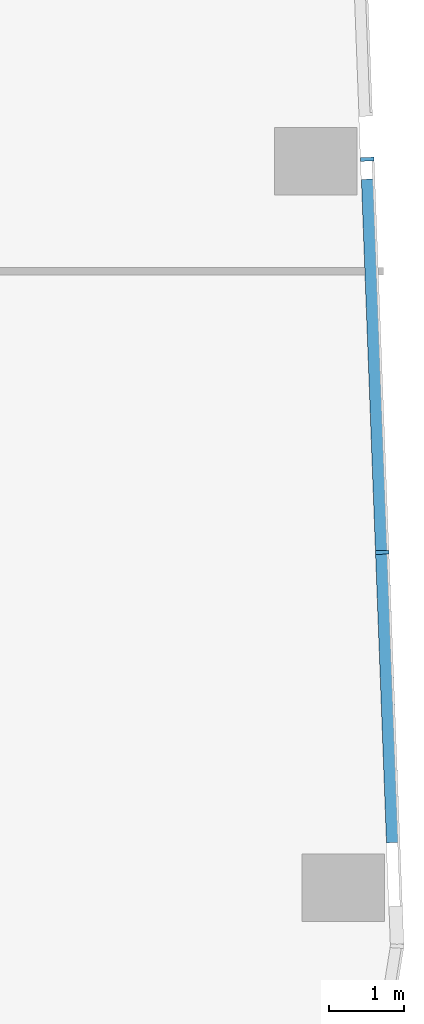
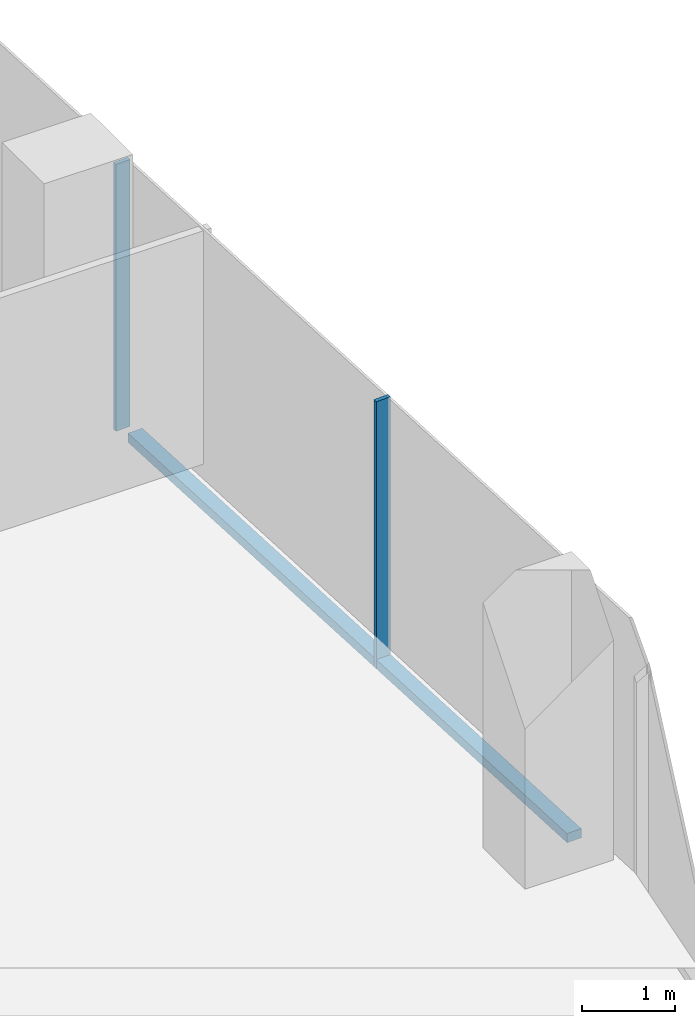
# One storey, part 9 of 24: 3 members, 1 element without a shape of its own.
"""IFC4 building model written with IfcOpenShell, lengths in metres."""

from ifc_helpers import new_model, si_unit, direction, frame, origin, origin_2d, place, context, subcontext, project, spatial, rectangle, extrude, material, material_profile, profile_set, type_object, element, aggregate, save


model = new_model("IFC4")

# Units and contexts
model_context = context("Model", 3, precision=1e-05, world=origin(), true_north=direction((0.0, 1.0)))
body_context = subcontext(model_context, "Body", "Model", "MODEL_VIEW")
ifc_project = project(units=[si_unit("LENGTHUNIT", "METRE"), si_unit("AREAUNIT", "SQUARE_METRE"), si_unit("VOLUMEUNIT", "CUBIC_METRE"), si_unit("PLANEANGLEUNIT", "RADIAN"), si_unit("MASSUNIT", "GRAM", prefix="KILO")], contexts=[model_context])

# Site, building, storey
site_placement = place(None, origin())
site = spatial("IfcSite", under=ifc_project, at=site_placement, CompositionType="ELEMENT")
building_placement = place(site_placement, origin())
building = spatial("IfcBuilding", under=site, at=building_placement, Name="Orlundy Tower", CompositionType="ELEMENT")
storey_placement = place(building_placement, frame((0.0, 0.0, 170.60009765625)))
storey = spatial("IfcBuildingStorey", under=building, at=storey_placement, Name="L44", CompositionType="ELEMENT", Elevation=170.60009765625)

# Curtain wall, members
ifc_material_1 = material(Name="Aluminium bronze anodised", Category="aluminium")
curtain_wall_type = type_object("IfcCurtainWallType", Name="CW1 wall", PredefinedType="NOTDEFINED", material=ifc_material_1)
curtain_wall_placement = place(storey_placement, origin())
curtain_wall = element("IfcCurtainWall", 1, at=curtain_wall_placement, inside=storey, type_object=curtain_wall_type, Name="CW1 run 011", PredefinedType="NOTDEFINED")
ifc_material_2 = material(Name="Aluminium bronze anodised", Category="aluminium")
ifc_material_profile_1 = material_profile(ifc_material_2, rectangle(XDim=0.179931640625, YDim=0.050048828125, at=origin_2d()), Name="CW1 mullion 50x180")
ifc_profile_set_1 = profile_set([ifc_material_profile_1], Name="Aluminium bronze anodised")
member_type_1 = type_object("IfcMemberType", Name="CW1 mullion 50x180", PredefinedType="MULLION", material=ifc_profile_set_1)
member_1_placement = place(storey_placement, frame((39.56201171875, 1.496826171875, -0.420166015625), z_axis=(0.0, 0.0, 1.0), x_axis=(0.999284965389, 0.03780949547, 0.0)))
member_1 = element("IfcMember", 2, at=member_1_placement, type_object=member_type_1, Name="CW1 mullion 34", PredefinedType="MULLION", context=body_context, shape_type="SweptSolid", body=[
    extrude(rectangle(XDim=0.179931640625, YDim=0.050048828125, at=origin_2d()), origin(), (0.0, 0.0, 1.0), 3.5),
])
member_2_placement = place(storey_placement, frame((39.760498046875, -3.749267578125, -0.420166015625), z_axis=(0.0, 0.0, 1.0), x_axis=(0.999284965389, 0.03780949547, 0.0)))
member_2 = element("IfcMember", 3, at=member_2_placement, type_object=member_type_1, Name="CW1 mullion 35", PredefinedType="MULLION", context=body_context, shape_type="SweptSolid", body=[
    extrude(rectangle(XDim=0.179931640625, YDim=0.050048828125, at=origin_2d()), origin(), (0.0, 0.0, 1.0), 3.5),
])
ifc_material_3 = material(Name="Aluminium bronze anodised", Category="aluminium")
ifc_material_profile_2 = material_profile(ifc_material_3, rectangle(XDim=0.179931640625, YDim=0.1201171875, at=origin_2d()), Name="CW1 transom 180x120")
ifc_profile_set_2 = profile_set([ifc_material_profile_2], Name="Aluminium bronze anodised")
member_type_2 = type_object("IfcMemberType", Name="CW1 transom 180x120", PredefinedType="USERDEFINED", material=ifc_profile_set_2)
member_3_placement = place(storey_placement, frame((39.572021484375, 1.23095703125, -0.360107421875), z_axis=(0.037808698194, -0.999284995555, 0.0), x_axis=(0.999284995555, 0.037808698194, 0.0)))
member_3 = element("IfcMember", 4, at=member_3_placement, type_object=member_type_2, Name="CW1 transom", ObjectType="TRANSOM", PredefinedType="USERDEFINED", context=body_context, shape_type="SweptSolid", body=[
    extrude(rectangle(XDim=0.179931640625, YDim=0.1201171875, at=origin_2d()), origin(), (0.0, 0.0, 1.0), 8.859375),
])
aggregate(curtain_wall, [member_1, member_2, member_3])

save(model, "model.ifc")
